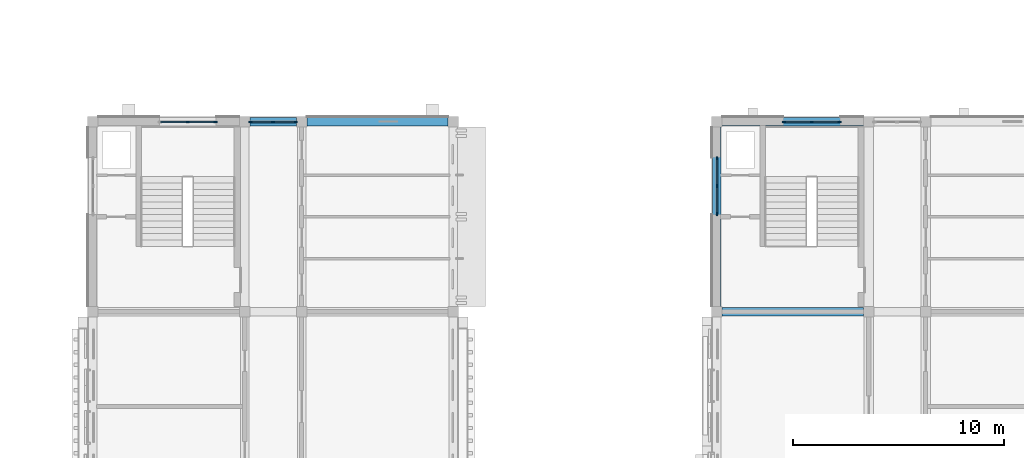
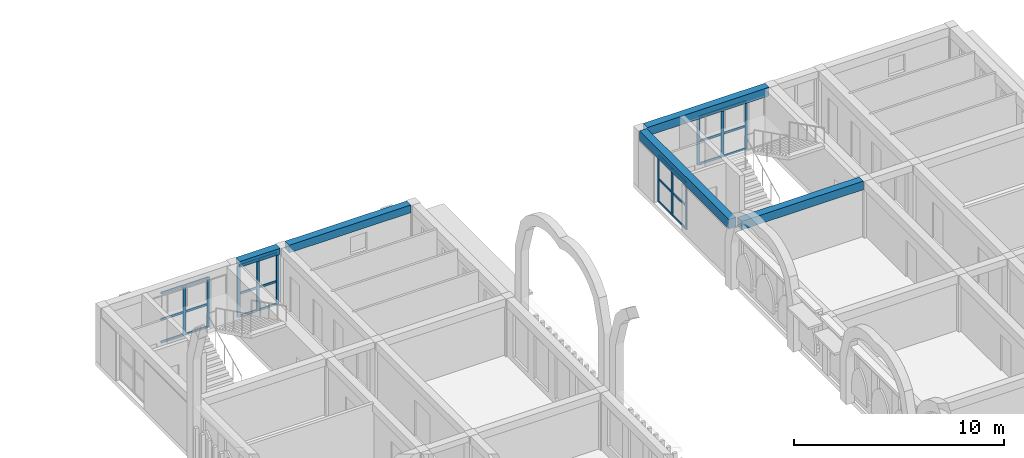
# One storey, part 32 of 82: 35 members, 5 beams, 4 elements without a shape of their own.
"""IFC4 building model written with IfcOpenShell, lengths in metres."""

from ifc_helpers import new_model, si_unit, direction, frame, origin, origin_2d, place, context, subcontext, project, spatial, rectangle, extrude, material, layer, layer_set, material_profile, profile_set, type_object, element, aggregate, save


model = new_model("IFC4")

# Units and contexts
model_context = context("Model", 3, precision=1e-05, world=origin(), true_north=direction((0.0, 1.0)))
body_context = subcontext(model_context, "Body", "Model", "MODEL_VIEW")
ifc_project = project(units=[si_unit("LENGTHUNIT", "METRE"), si_unit("AREAUNIT", "SQUARE_METRE"), si_unit("VOLUMEUNIT", "CUBIC_METRE"), si_unit("PLANEANGLEUNIT", "RADIAN"), si_unit("MASSUNIT", "GRAM", prefix="KILO")], contexts=[model_context])

# Site, building, storey
site_placement = place(None, origin())
site = spatial("IfcSite", under=ifc_project, at=site_placement, CompositionType="ELEMENT")
building_placement = place(site_placement, origin())
building = spatial("IfcBuilding", under=site, at=building_placement, Name="Elbe Cascade School", CompositionType="ELEMENT")
storey_placement = place(building_placement, frame((0.0, 0.0, 4.5)))
storey = spatial("IfcBuildingStorey", under=building, at=storey_placement, Name="L01", CompositionType="ELEMENT", Elevation=4.5)

# Curtain wall, members
ifc_material_1 = material(Name="Aluminium frame with double glazing, bronze anodised", Category="aluminium")
ifc_layer = layer(ifc_material_1, 0.159912109375)
ifc_layer_set = layer_set([ifc_layer], Name="Aluminium frame with double glazing, bronze anodised")
curtain_wall_type = type_object("IfcCurtainWallType", Name="Bars envelope Curtain wall, aluminium, bronze anodised, storey-high slot", PredefinedType="NOTDEFINED", material=ifc_layer_set)
curtain_wall_1_placement = place(storey_placement, origin())
curtain_wall_1 = element("IfcCurtainWall", 1, at=curtain_wall_1_placement, inside=storey, type_object=curtain_wall_type, Name="Curtain wall CW4 C.L01.n1", PredefinedType="NOTDEFINED")
ifc_material_2 = material(Name="Aluminium mullion, bronze anodised", Category="aluminium")
ifc_material_profile_1 = material_profile(ifc_material_2, rectangle(XDim=0.06005859375, YDim=0.159912109375, at=origin_2d()), Name="Bars envelope Curtain wall mullion 60 x 160, aluminium, storey-high slot")
ifc_profile_set_1 = profile_set([ifc_material_profile_1], Name="Aluminium mullion, bronze anodised")
member_type_1 = type_object("IfcMemberType", Name="Bars envelope Curtain wall mullion 60 x 160, aluminium, storey-high slot", PredefinedType="MULLION", material=ifc_profile_set_1)
member_1_placement = place(storey_placement, frame((132.699951171875, 60.0, 0.0), z_axis=(0.0, 0.0, 1.0), x_axis=(0.0, 1.0, 0.0)))
member_1 = element("IfcMember", 2, at=member_1_placement, type_object=member_type_1, Name="CW4 mullion 2", PredefinedType="MULLION", context=body_context, shape_type="SweptSolid", body=[
    extrude(rectangle(XDim=0.06005859375, YDim=0.159912109375, at=origin_2d()), origin(), (0.0, 0.0, 1.0), 2.89990234375),
])
member_2_placement = place(storey_placement, frame((134.02001953125, 60.0, 0.0), z_axis=(0.0, 0.0, 1.0), x_axis=(0.0, 1.0, 0.0)))
member_2 = element("IfcMember", 3, at=member_2_placement, type_object=member_type_1, Name="CW4 mullion 3", PredefinedType="MULLION", context=body_context, shape_type="SweptSolid", body=[
    extrude(rectangle(XDim=0.06005859375, YDim=0.159912109375, at=origin_2d()), origin(), (0.0, 0.0, 1.0), 2.89990234375),
])

curtain_wall_2_placement = place(storey_placement, origin())
curtain_wall_2 = element("IfcCurtainWall", 4, at=curtain_wall_2_placement, inside=storey, type_object=curtain_wall_type, Name="Curtain wall CW4 C.L01.n2", PredefinedType="NOTDEFINED")
member_3_placement = place(storey_placement, frame((135.679931640625, 60.0, 0.0), z_axis=(0.0, 0.0, 1.0), x_axis=(0.0, 1.0, 0.0)))
member_3 = element("IfcMember", 5, at=member_3_placement, type_object=member_type_1, Name="CW4 mullion 1", PredefinedType="MULLION", context=body_context, shape_type="SweptSolid", body=[
    extrude(rectangle(XDim=0.06005859375, YDim=0.159912109375, at=origin_2d()), origin(), (0.0, 0.0, 1.0), 3.0),
])
member_4_placement = place(storey_placement, frame((136.75, 60.0, 0.0), z_axis=(0.0, 0.0, 1.0), x_axis=(0.0, 1.0, 0.0)))
member_4 = element("IfcMember", 6, at=member_4_placement, type_object=member_type_1, Name="CW4 mullion 2", PredefinedType="MULLION", context=body_context, shape_type="SweptSolid", body=[
    extrude(rectangle(XDim=0.06005859375, YDim=0.159912109375, at=origin_2d()), origin(), (0.0, 0.0, 1.0), 3.0),
])
member_5_placement = place(storey_placement, frame((137.820068359375, 60.0, 0.0), z_axis=(0.0, 0.0, 1.0), x_axis=(0.0, 1.0, 0.0)))
member_5 = element("IfcMember", 7, at=member_5_placement, type_object=member_type_1, Name="CW4 mullion 3", PredefinedType="MULLION", context=body_context, shape_type="SweptSolid", body=[
    extrude(rectangle(XDim=0.06005859375, YDim=0.159912109375, at=origin_2d()), origin(), (0.0, 0.0, 1.0), 3.0),
])

curtain_wall_3_placement = place(storey_placement, origin())
curtain_wall_3 = element("IfcCurtainWall", 8, at=curtain_wall_3_placement, inside=storey, type_object=curtain_wall_type, Name="Curtain wall CW4 D.L01.w6", PredefinedType="NOTDEFINED")
member_6_placement = place(storey_placement, frame((157.800048828125, 55.639892578125, 0.0), z_axis=(0.0, 0.0, 1.0), x_axis=(-1.0, 0.0, 0.0)))
member_6 = element("IfcMember", 9, at=member_6_placement, type_object=member_type_1, Name="CW4 mullion 1", PredefinedType="MULLION", context=body_context, shape_type="SweptSolid", body=[
    extrude(rectangle(XDim=0.06005859375, YDim=0.159912109375, at=origin_2d()), origin(), (0.0, 0.0, 1.0), 2.75),
])
member_7_placement = place(storey_placement, frame((157.800048828125, 56.9599609375, 0.0), z_axis=(0.0, 0.0, 1.0), x_axis=(-1.0, 0.0, 0.0)))
member_7 = element("IfcMember", 10, at=member_7_placement, type_object=member_type_1, Name="CW4 mullion 2", PredefinedType="MULLION", context=body_context, shape_type="SweptSolid", body=[
    extrude(rectangle(XDim=0.06005859375, YDim=0.159912109375, at=origin_2d()), origin(), (0.0, 0.0, 1.0), 2.75),
])
member_8_placement = place(storey_placement, frame((157.800048828125, 58.280029296875, 0.0), z_axis=(0.0, 0.0, 1.0), x_axis=(-1.0, 0.0, 0.0)))
member_8 = element("IfcMember", 11, at=member_8_placement, type_object=member_type_1, Name="CW4 mullion 3", PredefinedType="MULLION", context=body_context, shape_type="SweptSolid", body=[
    extrude(rectangle(XDim=0.06005859375, YDim=0.159912109375, at=origin_2d()), origin(), (0.0, 0.0, 1.0), 2.75),
])

curtain_wall_4_placement = place(storey_placement, origin())
curtain_wall_4 = element("IfcCurtainWall", 12, at=curtain_wall_4_placement, inside=storey, type_object=curtain_wall_type, Name="Curtain wall CW4 D.L01.n1", PredefinedType="NOTDEFINED")
member_9_placement = place(storey_placement, frame((160.97998046875, 60.0, 0.0), z_axis=(0.0, 0.0, 1.0), x_axis=(0.0, 1.0, 0.0)))
member_9 = element("IfcMember", 13, at=member_9_placement, type_object=member_type_1, Name="CW4 mullion 1", PredefinedType="MULLION", context=body_context, shape_type="SweptSolid", body=[
    extrude(rectangle(XDim=0.06005859375, YDim=0.159912109375, at=origin_2d()), origin(), (0.0, 0.0, 1.0), 2.800048828125),
])
member_10_placement = place(storey_placement, frame((162.300048828125, 60.0, 0.0), z_axis=(0.0, 0.0, 1.0), x_axis=(0.0, 1.0, 0.0)))
member_10 = element("IfcMember", 14, at=member_10_placement, type_object=member_type_1, Name="CW4 mullion 2", PredefinedType="MULLION", context=body_context, shape_type="SweptSolid", body=[
    extrude(rectangle(XDim=0.06005859375, YDim=0.159912109375, at=origin_2d()), origin(), (0.0, 0.0, 1.0), 2.800048828125),
])
member_11_placement = place(storey_placement, frame((163.6201171875, 60.0, 0.0), z_axis=(0.0, 0.0, 1.0), x_axis=(0.0, 1.0, 0.0)))
member_11 = element("IfcMember", 15, at=member_11_placement, type_object=member_type_1, Name="CW4 mullion 3", PredefinedType="MULLION", context=body_context, shape_type="SweptSolid", body=[
    extrude(rectangle(XDim=0.06005859375, YDim=0.159912109375, at=origin_2d()), origin(), (0.0, 0.0, 1.0), 2.800048828125),
])

# Member
ifc_material_3 = material(Name="Aluminium transom, bronze anodised", Category="aluminium")
ifc_material_profile_2 = material_profile(ifc_material_3, rectangle(XDim=0.06005859375, YDim=0.1201171875, at=origin_2d()), Name="Bars envelope Curtain wall transom 60 x 120, aluminium, storey-high slot")
ifc_profile_set_2 = profile_set([ifc_material_profile_2], Name="Aluminium transom, bronze anodised")
member_type_2 = type_object("IfcMemberType", Name="Bars envelope Curtain wall transom 60 x 120, aluminium, storey-high slot", PredefinedType="USERDEFINED", material=ifc_profile_set_2)
member_12_placement = place(storey_placement, frame((131.409912109375, 60.0, 0.030029296875), z_axis=(1.0, 0.0, 0.0), x_axis=(0.0, 1.0, 0.0)))
member_12 = element("IfcMember", 16, at=member_12_placement, type_object=member_type_2, Name="CW4 transom 1.1", ObjectType="TRANSOM", PredefinedType="USERDEFINED", context=body_context, shape_type="SweptSolid", body=[
    extrude(rectangle(XDim=0.06005859375, YDim=0.1201171875, at=origin_2d()), origin(), (0.0, 0.0, 1.0), 1.260009765625),
])

member_13_placement = place(storey_placement, frame((131.409912109375, 60.0, 1.35009765625), z_axis=(1.0, 0.0, 0.0), x_axis=(0.0, 1.0, 0.0)))
member_13 = element("IfcMember", 17, at=member_13_placement, type_object=member_type_2, Name="CW4 transom 1.2", ObjectType="TRANSOM", PredefinedType="USERDEFINED", context=body_context, shape_type="SweptSolid", body=[
    extrude(rectangle(XDim=0.06005859375, YDim=0.1201171875, at=origin_2d()), origin(), (0.0, 0.0, 1.0), 1.260009765625),
])

member_14_placement = place(storey_placement, frame((131.409912109375, 60.0, 2.8701171875), z_axis=(1.0, 0.0, 0.0), x_axis=(0.0, 1.0, 0.0)))
member_14 = element("IfcMember", 18, at=member_14_placement, type_object=member_type_2, Name="CW4 transom 1.3", ObjectType="TRANSOM", PredefinedType="USERDEFINED", context=body_context, shape_type="SweptSolid", body=[
    extrude(rectangle(XDim=0.06005859375, YDim=0.1201171875, at=origin_2d()), origin(), (0.0, 0.0, 1.0), 1.260009765625),
])

member_15_placement = place(storey_placement, frame((132.72998046875, 60.0, 0.030029296875), z_axis=(1.0, 0.0, 0.0), x_axis=(0.0, 1.0, 0.0)))
member_15 = element("IfcMember", 19, at=member_15_placement, type_object=member_type_2, Name="CW4 transom 2.1", ObjectType="TRANSOM", PredefinedType="USERDEFINED", context=body_context, shape_type="SweptSolid", body=[
    extrude(rectangle(XDim=0.06005859375, YDim=0.1201171875, at=origin_2d()), origin(), (0.0, 0.0, 1.0), 1.260009765625),
])

member_16_placement = place(storey_placement, frame((132.72998046875, 60.0, 1.35009765625), z_axis=(1.0, 0.0, 0.0), x_axis=(0.0, 1.0, 0.0)))
member_16 = element("IfcMember", 20, at=member_16_placement, type_object=member_type_2, Name="CW4 transom 2.2", ObjectType="TRANSOM", PredefinedType="USERDEFINED", context=body_context, shape_type="SweptSolid", body=[
    extrude(rectangle(XDim=0.06005859375, YDim=0.1201171875, at=origin_2d()), origin(), (0.0, 0.0, 1.0), 1.260009765625),
])

member_17_placement = place(storey_placement, frame((132.72998046875, 60.0, 2.8701171875), z_axis=(1.0, 0.0, 0.0), x_axis=(0.0, 1.0, 0.0)))
member_17 = element("IfcMember", 21, at=member_17_placement, type_object=member_type_2, Name="CW4 transom 2.3", ObjectType="TRANSOM", PredefinedType="USERDEFINED", context=body_context, shape_type="SweptSolid", body=[
    extrude(rectangle(XDim=0.06005859375, YDim=0.1201171875, at=origin_2d()), origin(), (0.0, 0.0, 1.0), 1.260009765625),
])

aggregate(curtain_wall_1, [member_1, member_2, member_12, member_13, member_14, member_15, member_16, member_17])

member_18_placement = place(storey_placement, frame((135.7099609375, 60.0, 0.030029296875), z_axis=(1.0, 0.0, 0.0), x_axis=(0.0, 1.0, 0.0)))
member_18 = element("IfcMember", 22, at=member_18_placement, type_object=member_type_2, Name="CW4 transom 1.1", ObjectType="TRANSOM", PredefinedType="USERDEFINED", context=body_context, shape_type="SweptSolid", body=[
    extrude(rectangle(XDim=0.06005859375, YDim=0.1201171875, at=origin_2d()), origin(), (0.0, 0.0, 1.0), 1.010009765625),
])

member_19_placement = place(storey_placement, frame((135.7099609375, 60.0, 1.35009765625), z_axis=(1.0, 0.0, 0.0), x_axis=(0.0, 1.0, 0.0)))
member_19 = element("IfcMember", 23, at=member_19_placement, type_object=member_type_2, Name="CW4 transom 1.2", ObjectType="TRANSOM", PredefinedType="USERDEFINED", context=body_context, shape_type="SweptSolid", body=[
    extrude(rectangle(XDim=0.06005859375, YDim=0.1201171875, at=origin_2d()), origin(), (0.0, 0.0, 1.0), 1.010009765625),
])

member_20_placement = place(storey_placement, frame((135.7099609375, 60.0, 2.969970703125), z_axis=(1.0, 0.0, 0.0), x_axis=(0.0, 1.0, 0.0)))
member_20 = element("IfcMember", 24, at=member_20_placement, type_object=member_type_2, Name="CW4 transom 1.3", ObjectType="TRANSOM", PredefinedType="USERDEFINED", context=body_context, shape_type="SweptSolid", body=[
    extrude(rectangle(XDim=0.06005859375, YDim=0.1201171875, at=origin_2d()), origin(), (0.0, 0.0, 1.0), 1.010009765625),
])

member_21_placement = place(storey_placement, frame((136.780029296875, 60.0, 0.030029296875), z_axis=(1.0, 0.0, 0.0), x_axis=(0.0, 1.0, 0.0)))
member_21 = element("IfcMember", 25, at=member_21_placement, type_object=member_type_2, Name="CW4 transom 2.1", ObjectType="TRANSOM", PredefinedType="USERDEFINED", context=body_context, shape_type="SweptSolid", body=[
    extrude(rectangle(XDim=0.06005859375, YDim=0.1201171875, at=origin_2d()), origin(), (0.0, 0.0, 1.0), 1.010009765625),
])

member_22_placement = place(storey_placement, frame((136.780029296875, 60.0, 1.35009765625), z_axis=(1.0, 0.0, 0.0), x_axis=(0.0, 1.0, 0.0)))
member_22 = element("IfcMember", 26, at=member_22_placement, type_object=member_type_2, Name="CW4 transom 2.2", ObjectType="TRANSOM", PredefinedType="USERDEFINED", context=body_context, shape_type="SweptSolid", body=[
    extrude(rectangle(XDim=0.06005859375, YDim=0.1201171875, at=origin_2d()), origin(), (0.0, 0.0, 1.0), 1.010009765625),
])

member_23_placement = place(storey_placement, frame((136.780029296875, 60.0, 2.969970703125), z_axis=(1.0, 0.0, 0.0), x_axis=(0.0, 1.0, 0.0)))
member_23 = element("IfcMember", 27, at=member_23_placement, type_object=member_type_2, Name="CW4 transom 2.3", ObjectType="TRANSOM", PredefinedType="USERDEFINED", context=body_context, shape_type="SweptSolid", body=[
    extrude(rectangle(XDim=0.06005859375, YDim=0.1201171875, at=origin_2d()), origin(), (0.0, 0.0, 1.0), 1.010009765625),
])

aggregate(curtain_wall_2, [member_3, member_4, member_5, member_18, member_19, member_20, member_21, member_22, member_23])

member_24_placement = place(storey_placement, frame((157.800048828125, 55.669921875, 0.030029296875), z_axis=(0.0, 1.0, 0.0), x_axis=(-1.0, 0.0, 0.0)))
member_24 = element("IfcMember", 28, at=member_24_placement, type_object=member_type_2, Name="CW4 transom 1.1", ObjectType="TRANSOM", PredefinedType="USERDEFINED", context=body_context, shape_type="SweptSolid", body=[
    extrude(rectangle(XDim=0.06005859375, YDim=0.1201171875, at=origin_2d()), origin(), (0.0, 0.0, 1.0), 1.260009765625),
])

member_25_placement = place(storey_placement, frame((157.800048828125, 55.669921875, 1.35009765625), z_axis=(0.0, 1.0, 0.0), x_axis=(-1.0, 0.0, 0.0)))
member_25 = element("IfcMember", 29, at=member_25_placement, type_object=member_type_2, Name="CW4 transom 1.2", ObjectType="TRANSOM", PredefinedType="USERDEFINED", context=body_context, shape_type="SweptSolid", body=[
    extrude(rectangle(XDim=0.06005859375, YDim=0.1201171875, at=origin_2d()), origin(), (0.0, 0.0, 1.0), 1.260009765625),
])

member_26_placement = place(storey_placement, frame((157.800048828125, 55.669921875, 2.719970703125), z_axis=(0.0, 1.0, 0.0), x_axis=(-1.0, 0.0, 0.0)))
member_26 = element("IfcMember", 30, at=member_26_placement, type_object=member_type_2, Name="CW4 transom 1.3", ObjectType="TRANSOM", PredefinedType="USERDEFINED", context=body_context, shape_type="SweptSolid", body=[
    extrude(rectangle(XDim=0.06005859375, YDim=0.1201171875, at=origin_2d()), origin(), (0.0, 0.0, 1.0), 1.260009765625),
])

member_27_placement = place(storey_placement, frame((157.800048828125, 56.989990234375, 0.030029296875), z_axis=(0.0, 1.0, 0.0), x_axis=(-1.0, 0.0, 0.0)))
member_27 = element("IfcMember", 31, at=member_27_placement, type_object=member_type_2, Name="CW4 transom 2.1", ObjectType="TRANSOM", PredefinedType="USERDEFINED", context=body_context, shape_type="SweptSolid", body=[
    extrude(rectangle(XDim=0.06005859375, YDim=0.1201171875, at=origin_2d()), origin(), (0.0, 0.0, 1.0), 1.260009765625),
])

member_28_placement = place(storey_placement, frame((157.800048828125, 56.989990234375, 1.35009765625), z_axis=(0.0, 1.0, 0.0), x_axis=(-1.0, 0.0, 0.0)))
member_28 = element("IfcMember", 32, at=member_28_placement, type_object=member_type_2, Name="CW4 transom 2.2", ObjectType="TRANSOM", PredefinedType="USERDEFINED", context=body_context, shape_type="SweptSolid", body=[
    extrude(rectangle(XDim=0.06005859375, YDim=0.1201171875, at=origin_2d()), origin(), (0.0, 0.0, 1.0), 1.260009765625),
])

member_29_placement = place(storey_placement, frame((157.800048828125, 56.989990234375, 2.719970703125), z_axis=(0.0, 1.0, 0.0), x_axis=(-1.0, 0.0, 0.0)))
member_29 = element("IfcMember", 33, at=member_29_placement, type_object=member_type_2, Name="CW4 transom 2.3", ObjectType="TRANSOM", PredefinedType="USERDEFINED", context=body_context, shape_type="SweptSolid", body=[
    extrude(rectangle(XDim=0.06005859375, YDim=0.1201171875, at=origin_2d()), origin(), (0.0, 0.0, 1.0), 1.260009765625),
])

aggregate(curtain_wall_3, [member_6, member_7, member_8, member_24, member_25, member_26, member_27, member_28, member_29])

member_30_placement = place(storey_placement, frame((161.010009765625, 60.0, 0.030029296875), z_axis=(1.0, 0.0, 0.0), x_axis=(0.0, 1.0, 0.0)))
member_30 = element("IfcMember", 34, at=member_30_placement, type_object=member_type_2, Name="CW4 transom 1.1", ObjectType="TRANSOM", PredefinedType="USERDEFINED", context=body_context, shape_type="SweptSolid", body=[
    extrude(rectangle(XDim=0.06005859375, YDim=0.1201171875, at=origin_2d()), origin(), (0.0, 0.0, 1.0), 1.260009765625),
])

member_31_placement = place(storey_placement, frame((161.010009765625, 60.0, 1.35009765625), z_axis=(1.0, 0.0, 0.0), x_axis=(0.0, 1.0, 0.0)))
member_31 = element("IfcMember", 35, at=member_31_placement, type_object=member_type_2, Name="CW4 transom 1.2", ObjectType="TRANSOM", PredefinedType="USERDEFINED", context=body_context, shape_type="SweptSolid", body=[
    extrude(rectangle(XDim=0.06005859375, YDim=0.1201171875, at=origin_2d()), origin(), (0.0, 0.0, 1.0), 1.260009765625),
])

member_32_placement = place(storey_placement, frame((161.010009765625, 60.0, 2.77001953125), z_axis=(1.0, 0.0, 0.0), x_axis=(0.0, 1.0, 0.0)))
member_32 = element("IfcMember", 36, at=member_32_placement, type_object=member_type_2, Name="CW4 transom 1.3", ObjectType="TRANSOM", PredefinedType="USERDEFINED", context=body_context, shape_type="SweptSolid", body=[
    extrude(rectangle(XDim=0.06005859375, YDim=0.1201171875, at=origin_2d()), origin(), (0.0, 0.0, 1.0), 1.260009765625),
])

member_33_placement = place(storey_placement, frame((162.330078125, 60.0, 0.030029296875), z_axis=(1.0, 0.0, 0.0), x_axis=(0.0, 1.0, 0.0)))
member_33 = element("IfcMember", 37, at=member_33_placement, type_object=member_type_2, Name="CW4 transom 2.1", ObjectType="TRANSOM", PredefinedType="USERDEFINED", context=body_context, shape_type="SweptSolid", body=[
    extrude(rectangle(XDim=0.06005859375, YDim=0.1201171875, at=origin_2d()), origin(), (0.0, 0.0, 1.0), 1.260009765625),
])

member_34_placement = place(storey_placement, frame((162.330078125, 60.0, 1.35009765625), z_axis=(1.0, 0.0, 0.0), x_axis=(0.0, 1.0, 0.0)))
member_34 = element("IfcMember", 38, at=member_34_placement, type_object=member_type_2, Name="CW4 transom 2.2", ObjectType="TRANSOM", PredefinedType="USERDEFINED", context=body_context, shape_type="SweptSolid", body=[
    extrude(rectangle(XDim=0.06005859375, YDim=0.1201171875, at=origin_2d()), origin(), (0.0, 0.0, 1.0), 1.260009765625),
])

member_35_placement = place(storey_placement, frame((162.330078125, 60.0, 2.77001953125), z_axis=(1.0, 0.0, 0.0), x_axis=(0.0, 1.0, 0.0)))
member_35 = element("IfcMember", 39, at=member_35_placement, type_object=member_type_2, Name="CW4 transom 2.3", ObjectType="TRANSOM", PredefinedType="USERDEFINED", context=body_context, shape_type="SweptSolid", body=[
    extrude(rectangle(XDim=0.06005859375, YDim=0.1201171875, at=origin_2d()), origin(), (0.0, 0.0, 1.0), 1.260009765625),
])

aggregate(curtain_wall_4, [member_9, member_10, member_11, member_30, member_31, member_32, member_33, member_34, member_35])

# Beams
ifc_material_4 = material(Name="Concrete C30/37", Category="concrete")
ifc_material_profile_3 = material_profile(ifc_material_4, rectangle(XDim=0.39990234375, YDim=0.35009765625, at=origin_2d()), Name="RC 400x350")
ifc_profile_set_3 = profile_set([ifc_material_profile_3], Name="Concrete C30/37")
beam_type_1 = type_object("IfcBeamType", Name="RC 400x350 beam", PredefinedType="BEAM", material=ifc_profile_set_3)
beam_1_placement = place(storey_placement, frame((135.64990234375, 60.0, 3.175048828125), z_axis=(1.0, 0.0, 0.0), x_axis=(0.0, 1.0, 0.0)))
element("IfcBeam", 40, at=beam_1_placement, inside=storey, type_object=beam_type_1, Name="RC 400x350 beam B3", PredefinedType="BEAM", context=body_context, shape_type="SweptSolid", body=[
    extrude(rectangle(XDim=0.39990234375, YDim=0.35009765625, at=origin_2d()), origin(), (0.0, 0.0, 1.0), 2.2001953125),
])
ifc_material_5 = material(Name="Concrete C30/37", Category="concrete")
ifc_material_profile_4 = material_profile(ifc_material_5, rectangle(XDim=0.39990234375, YDim=0.449951171875, at=origin_2d()), Name="RC 400x450")
ifc_profile_set_4 = profile_set([ifc_material_profile_4], Name="Concrete C30/37")
beam_type_2 = type_object("IfcBeamType", Name="RC 400x450 beam", PredefinedType="BEAM", material=ifc_profile_set_4)
beam_2_placement = place(storey_placement, frame((138.35009765625, 60.0, 3.125), z_axis=(1.0, 0.0, 0.0), x_axis=(0.0, 1.0, 0.0)))
element("IfcBeam", 41, at=beam_2_placement, inside=storey, type_object=beam_type_2, Name="RC 400x450 beam B2", PredefinedType="BEAM", context=body_context, shape_type="SweptSolid", body=[
    extrude(rectangle(XDim=0.39990234375, YDim=0.449951171875, at=origin_2d()), origin(), (0.0, 0.0, 1.0), 6.699951171875),
])
ifc_material_6 = material(Name="Concrete C30/37", Category="concrete")
ifc_material_profile_5 = material_profile(ifc_material_6, rectangle(XDim=0.39990234375, YDim=0.5, at=origin_2d()), Name="RC 400x500")
ifc_profile_set_5 = profile_set([ifc_material_profile_5], Name="Concrete C30/37")
beam_type_3 = type_object("IfcBeamType", Name="RC 400x500 beam", PredefinedType="BEAM", material=ifc_profile_set_5)
for number, where, z_axis, x_axis, name in (
    (42, (158.050048828125, 51.0, 3.050048828125), (1.0, 0.0, 0.0), (0.0, 1.0, 0.0), "RC 400x500 beam B1"),
    (43, (158.050048828125, 60.0, 3.050048828125), (1.0, 0.0, 0.0), (0.0, 1.0, 0.0), "RC 400x500 beam B1"),
):
    element("IfcBeam", number, at=place(storey_placement, frame(where, z_axis=z_axis, x_axis=x_axis)), inside=storey, type_object=beam_type_3, Name=name, PredefinedType="BEAM", context=body_context, shape_type="SweptSolid", body=[
        extrude(rectangle(XDim=0.39990234375, YDim=0.5, at=origin_2d()), origin(), (0.0, 0.0, 1.0), 6.699951171875),
    ])
ifc_material_7 = material(Name="Concrete C30/37", Category="concrete")
ifc_material_profile_6 = material_profile(ifc_material_7, rectangle(XDim=0.39990234375, YDim=0.550048828125, at=origin_2d()), Name="RC 400x550")
ifc_profile_set_6 = profile_set([ifc_material_profile_6], Name="Concrete C30/37")
beam_type_4 = type_object("IfcBeamType", Name="RC 400x550 beam", PredefinedType="BEAM", material=ifc_profile_set_6)
beam_3_placement = place(storey_placement, frame((157.800048828125, 51.25, 3.02490234375), z_axis=(0.0, 1.0, 0.0), x_axis=(-1.0, 0.0, 0.0)))
element("IfcBeam", 44, at=beam_3_placement, inside=storey, type_object=beam_type_4, Name="RC 400x550 beam B4", PredefinedType="BEAM", context=body_context, shape_type="SweptSolid", body=[
    extrude(rectangle(XDim=0.39990234375, YDim=0.550048828125, at=origin_2d()), origin(), (0.0, 0.0, 1.0), 8.5),
])

save(model, "model.ifc")
